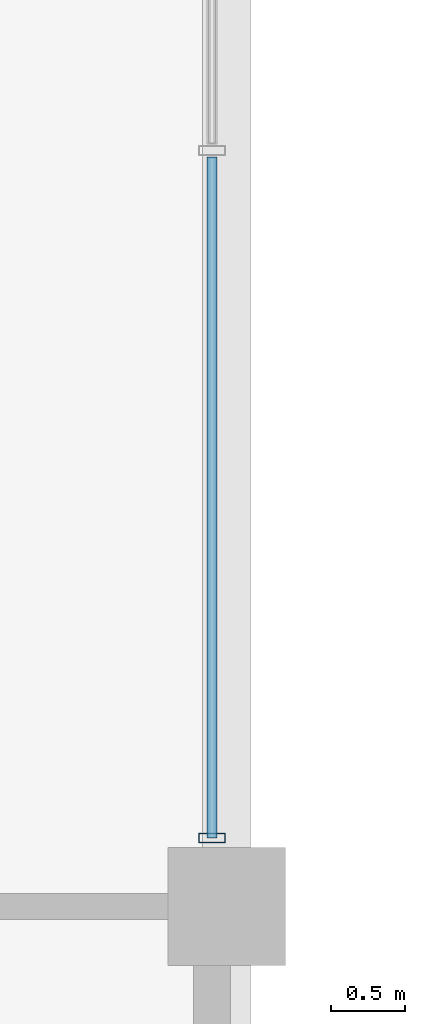
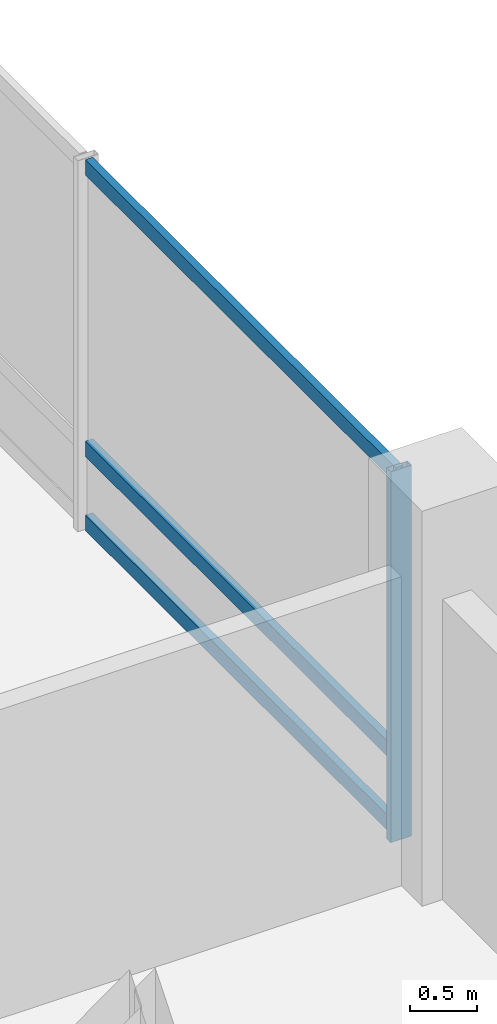
# One storey, part 8 of 24: 4 members, 1 element without a shape of its own.
"""IFC4 building model written with IfcOpenShell, lengths in metres."""

import ifcopenshell
import ifcopenshell.guid

model = None  # the IFC model being written
_history = None  # IfcOwnerHistory: only IFC2X3 demands one
_inside = {}  # id of a spatial element -> (the spatial element, [elements in it])
_under = {}  # id of a project, library or spatial element -> (it, [spatial elements below it])
_declared = {}  # id of a project -> (the project, [libraries it declares])
_typed = {}  # id of a type object -> (the type object, [elements of that type])
_made_of = {}  # id of a material, layer set ... -> (it, [elements and type objects made of it])


def new_model(schema):
    """Start an empty IFC model of exactly this schema.

    Asked for "IFC4X3", IfcOpenShell would pick the latest addendum, in which some entities
    have other attributes; the version numbers below select the first issue.
    IFC2X3 requires an IfcOwnerHistory on every rooted entity: one is made here for all.
    """
    global model, _history
    if schema == "IFC4X3":
        model = ifcopenshell.file(schema_version=(4, 3, 0, 0))
    else:
        model = ifcopenshell.file(schema=schema)
    _inside.clear()
    _under.clear()
    _declared.clear()
    _typed.clear()
    _made_of.clear()
    _history = None
    if model.schema == "IFC2X3":
        org = make("IfcOrganization", Name="unknown")
        user = make(
            "IfcPersonAndOrganization",
            ThePerson=make("IfcPerson", FamilyName="unknown"),
            TheOrganization=org,
        )
        app = make(
            "IfcApplication",
            ApplicationDeveloper=org,
            Version="unknown",
            ApplicationFullName="unknown",
            ApplicationIdentifier="unknown",
        )
        _history = make(
            "IfcOwnerHistory",
            OwningUser=user,
            OwningApplication=app,
            ChangeAction="ADDED",
            CreationDate=0,
        )
    return model


def make(cls, **values):
    """One entity of the class cls with the attributes given. An attribute that is None is left unset."""
    return model.create_entity(
        cls, **{name: value for name, value in values.items() if value is not None}
    )


def rooted(cls, **values):
    """An entity with a GlobalId (a new one), such as an element, a storey or a relation."""
    return make(cls, GlobalId=ifcopenshell.guid.new(), OwnerHistory=_history, **values)


def si_unit(unit_type, name, prefix=None):
    """IfcSIUnit, for example si_unit("LENGTHUNIT", "METRE", prefix="MILLI")."""
    return make("IfcSIUnit", UnitType=unit_type, Prefix=prefix, Name=name)


def assignment(units):
    """IfcUnitAssignment: the units of a project."""
    return None if units is None else make("IfcUnitAssignment", Units=units)


def point(xyz):
    """IfcCartesianPoint."""
    return None if xyz is None else make("IfcCartesianPoint", Coordinates=xyz)


def direction(xyz):
    """IfcDirection."""
    return None if xyz is None else make("IfcDirection", DirectionRatios=xyz)


def frame(location, z_axis=None, x_axis=None):
    """IfcAxis2Placement3D, a coordinate frame: its origin and axes. An axis left out is left unset."""
    return make(
        "IfcAxis2Placement3D",
        Location=point(location),
        Axis=direction(z_axis),
        RefDirection=direction(x_axis),
    )


def frame_2d(location, x_axis=None):
    """IfcAxis2Placement2D, a coordinate frame in the plane: its origin and x axis."""
    return make(
        "IfcAxis2Placement2D", Location=point(location), RefDirection=direction(x_axis)
    )


def origin():
    """The frame at (0, 0, 0) with its axes left unset."""
    return frame((0.0, 0.0, 0.0))


def origin_2d():
    """The frame at (0, 0) in the plane with its x axis left unset."""
    return frame_2d((0.0, 0.0))


def place(relative_to, where):
    """IfcLocalPlacement: puts the frame where relative to a parent placement (None: the world)."""
    return make(
        "IfcLocalPlacement", PlacementRelTo=relative_to, RelativePlacement=where
    )


def context(
    kind, dimensions, precision=None, world=None, true_north=None, identifier=None
):
    """IfcGeometricRepresentationContext, for example the 3D "Model" context."""
    return make(
        "IfcGeometricRepresentationContext",
        ContextIdentifier=identifier,
        ContextType=kind,
        CoordinateSpaceDimension=dimensions,
        Precision=precision,
        WorldCoordinateSystem=world,
        TrueNorth=true_north,
    )


def subcontext(parent, identifier, kind, view, scale=None):
    """IfcGeometricRepresentationSubContext, for example "Body" below "Model"."""
    return make(
        "IfcGeometricRepresentationSubContext",
        ContextIdentifier=identifier,
        ContextType=kind,
        ParentContext=parent,
        TargetScale=scale,
        TargetView=view,
    )


def project(units=None, contexts=None):
    """IfcProject with its units and contexts."""
    return rooted(
        "IfcProject",
        Name="project",
        RepresentationContexts=contexts,
        UnitsInContext=assignment(units),
    )


def spatial(cls, under=None, at=None, **own):
    """A site, building, storey or space (cls), placed at a placement, below another one or the project."""
    s = rooted(cls, ObjectPlacement=at, **own)
    if under is not None:
        _under.setdefault(under.id(), (under, []))[1].append(s)
    return s


def profile(cls, at=None, kind="AREA", **sizes):
    """A parametric profile (cls). Its sizes go by their IFC names, for example OverallWidth=200.0."""
    return make(cls, ProfileType=kind, Position=at, **sizes)


def hollow_rectangle(**sizes):
    """IfcRectangleHollowProfileDef."""
    return profile("IfcRectangleHollowProfileDef", **sizes)


def extrude(swept, where, along, depth):
    """IfcExtrudedAreaSolid: the profile swept, set in the frame where, extruded along a direction by depth."""
    return make(
        "IfcExtrudedAreaSolid",
        SweptArea=swept,
        Position=where,
        ExtrudedDirection=direction(along),
        Depth=depth,
    )


def shape(context_of_items, identifier, shape_type, items):
    """IfcShapeRepresentation: the items that make up one representation, for example the "Body"."""
    return make(
        "IfcShapeRepresentation",
        ContextOfItems=context_of_items,
        RepresentationIdentifier=identifier,
        RepresentationType=shape_type,
        Items=items,
    )


def material(Name=None, Category=None):
    """IfcMaterial."""
    return make("IfcMaterial", Name=Name, Category=Category)


def layer(
    of_material, thickness, ventilated=None, Name=None, Category=None, Priority=None
):
    """IfcMaterialLayer: one layer of a wall or slab, of a material (None: an air gap)."""
    return make(
        "IfcMaterialLayer",
        Material=of_material,
        LayerThickness=thickness,
        IsVentilated=ventilated,
        Name=Name,
        Category=Category,
        Priority=Priority,
    )


def layer_set(layers, Name=None):
    """IfcMaterialLayerSet."""
    return make("IfcMaterialLayerSet", MaterialLayers=layers, LayerSetName=Name)


def material_profile(
    of_material, cross_section, Name=None, Category=None, Priority=None
):
    """IfcMaterialProfile: a cross section and its material."""
    return make(
        "IfcMaterialProfile",
        Name=Name,
        Material=of_material,
        Profile=cross_section,
        Priority=Priority,
        Category=Category,
    )


def profile_set(profiles, Name=None, composite=None):
    """IfcMaterialProfileSet."""
    return make(
        "IfcMaterialProfileSet",
        Name=Name,
        MaterialProfiles=profiles,
        CompositeProfile=composite,
    )


def made_of(thing, what):
    """Note that an element or type object is made of a material, layer set ...; save() writes the relation."""
    if what is not None:
        _made_of.setdefault(what.id(), (what, []))[1].append(thing)
    return thing


def type_object(cls, material=None, **own):
    """A type object (cls), such as IfcWallType, which elements share."""
    return made_of(rooted(cls, **own), material)


def element(
    cls,
    number,
    at=None,
    inside=None,
    cuts=None,
    type_object=None,
    material=None,
    context=None,
    identifier="Body",
    shape_type=None,
    held_by="IfcProductDefinitionShape",
    body=None,
    shapes=None,
    **own,
):
    """One element of the class cls, such as IfcWall. Its Tag is "e" and its number.

    at: its placement. inside: the storey or other place that contains it. cuts: it is an
    opening in that element (IfcRelVoidsElement). A single representation is given by context,
    identifier, shape_type and body (its items); several are given by shapes. held_by: the class
    of the entity that holds the representations. save() writes the other relations.
    """
    e = rooted(cls, Tag="e%d" % number, ObjectPlacement=at, **own)
    if body is not None:
        shapes = [shape(context, identifier, shape_type, body)]
    if shapes is not None:
        e.Representation = make(held_by, Representations=shapes)
    if inside is not None:
        _inside.setdefault(inside.id(), (inside, []))[1].append(e)
    if cuts is not None:
        rooted(
            "IfcRelVoidsElement", RelatingBuildingElement=cuts, RelatedOpeningElement=e
        )
    if type_object is not None:
        _typed.setdefault(type_object.id(), (type_object, []))[1].append(e)
    return made_of(e, material)


def aggregate(whole, parts):
    """IfcRelAggregates: a whole, such as a stair, and the parts it consists of."""
    return rooted("IfcRelAggregates", RelatingObject=whole, RelatedObjects=parts)


def save(model, path):
    """Write the relations noted so far, then the file.

    IfcRelAggregates (storeys below a building ...), IfcRelContainedInSpatialStructure (elements
    in a storey), IfcRelDefinesByType, IfcRelAssociatesMaterial and IfcRelDeclares: one each for
    every whole, place, type object, material and project.
    """
    for whole, parts in _under.values():
        aggregate(whole, parts)
    for where, things in _inside.values():
        rooted(
            "IfcRelContainedInSpatialStructure",
            RelatedElements=things,
            RelatingStructure=where,
        )
    for kind, things in _typed.values():
        rooted("IfcRelDefinesByType", RelatedObjects=things, RelatingType=kind)
    for what, things in _made_of.values():
        rooted("IfcRelAssociatesMaterial", RelatedObjects=things, RelatingMaterial=what)
    for by, libraries in _declared.values():
        rooted("IfcRelDeclares", RelatingContext=by, RelatedDefinitions=libraries)
    model.write(path)


model = new_model("IFC4")

# Units and contexts
model_context = context("Model", 3, precision=1e-05, world=origin(), true_north=direction((0.0, 1.0)))
body_context = subcontext(model_context, "Body", "Model", "MODEL_VIEW")
ifc_project = project(units=[si_unit("LENGTHUNIT", "METRE"), si_unit("AREAUNIT", "SQUARE_METRE"), si_unit("VOLUMEUNIT", "CUBIC_METRE"), si_unit("PLANEANGLEUNIT", "RADIAN"), si_unit("MASSUNIT", "GRAM", prefix="KILO")], contexts=[model_context])

# Site, building, storey
site_placement = place(None, origin())
site = spatial("IfcSite", under=ifc_project, at=site_placement, CompositionType="ELEMENT")
building_placement = place(site_placement, origin())
building = spatial("IfcBuilding", under=site, at=building_placement, Name="Barlavira Tower and Art Museum", CompositionType="ELEMENT")
storey_placement = place(building_placement, frame((0.0, 0.0, 43.199951171875)))
storey = spatial("IfcBuildingStorey", under=building, at=storey_placement, Name="L09", CompositionType="ELEMENT", Elevation=43.199951171875)

# Curtain wall, members
ifc_material_1 = material(Name="Low-iron coastal laminated glass", Category="glass")
ifc_layer = layer(ifc_material_1, 0.179931640625, Name="Low-iron coastal laminated glass")
ifc_layer_set = layer_set([ifc_layer], Name="Low-iron coastal laminated glass")
curtain_wall_type = type_object("IfcCurtainWallType", Name="Pale-Metal Unitised Curtain Wall Zone 1", PredefinedType="NOTDEFINED", material=ifc_layer_set)
curtain_wall_placement = place(storey_placement, origin())
curtain_wall = element("IfcCurtainWall", 1, at=curtain_wall_placement, inside=storey, type_object=curtain_wall_type, Name="L09 Curtain Wall CW1-L09-E-B3", PredefinedType="NOTDEFINED")
ifc_material_2 = material(Name="Pale anodised aluminium", Category="aluminium")
ifc_material_profile_1 = material_profile(ifc_material_2, hollow_rectangle(XDim=0.06494140625, YDim=0.179931640625, WallThickness=0.00390625, at=origin_2d()), Name="ALU-MULL 65x180x4")
ifc_profile_set_1 = profile_set([ifc_material_profile_1], Name="Pale anodised aluminium")
member_type_1 = type_object("IfcMemberType", Name="Curtain Wall Pale-Metal Mullion 65x180", PredefinedType="MULLION", material=ifc_profile_set_1)
member_1_placement = place(storey_placement, frame((21.89990234375, -7.034912109375, 0.0), z_axis=(0.0, 0.0, 1.0), x_axis=(0.0, 1.0, 0.0)))
member_1 = element("IfcMember", 2, at=member_1_placement, type_object=member_type_1, Name="CW1-L09-E-B3 Mullion 0", PredefinedType="MULLION", context=body_context, shape_type="SweptSolid", body=[
    extrude(hollow_rectangle(XDim=0.06494140625, YDim=0.179931640625, WallThickness=0.00390625, at=origin_2d()), origin(), (0.0, 0.0, 1.0), 3.380126953125),
])
ifc_material_profile_2 = material_profile(ifc_material_2, hollow_rectangle(XDim=0.06494140625, YDim=0.139892578125, WallThickness=0.00390625, at=origin_2d()), Name="ALU-TRAN 65x140x4")
ifc_profile_set_2 = profile_set([ifc_material_profile_2], Name="Pale anodised aluminium")
member_type_2 = type_object("IfcMemberType", Name="Curtain Wall Pale-Metal Transom 65x140", PredefinedType="USERDEFINED", material=ifc_profile_set_2)
member_2_placement = place(storey_placement, frame((21.89990234375, -7.034912109375, 0.070068359375), z_axis=(0.0, 1.0, 0.0), x_axis=(-1.0, 0.0, 0.0)))
member_2 = element("IfcMember", 3, at=member_2_placement, type_object=member_type_2, Name="CW1-L09-E-B3 Transom 0.1", ObjectType="TRANSOM", PredefinedType="USERDEFINED", context=body_context, shape_type="SweptSolid", body=[
    extrude(hollow_rectangle(XDim=0.06494140625, YDim=0.139892578125, WallThickness=0.00390625, at=origin_2d()), origin(), (0.0, 0.0, 1.0), 4.6298828125),
])
member_3_placement = place(storey_placement, frame((21.89990234375, -7.034912109375, 0.744140625), z_axis=(0.0, 1.0, 0.0), x_axis=(-1.0, 0.0, 0.0)))
member_3 = element("IfcMember", 4, at=member_3_placement, type_object=member_type_2, Name="CW1-L09-E-B3 Transom 0.2", ObjectType="TRANSOM", PredefinedType="USERDEFINED", context=body_context, shape_type="SweptSolid", body=[
    extrude(hollow_rectangle(XDim=0.06494140625, YDim=0.139892578125, WallThickness=0.00390625, at=origin_2d()), origin(), (0.0, 0.0, 1.0), 4.6298828125),
])
member_4_placement = place(storey_placement, frame((21.89990234375, -7.034912109375, 3.31005859375), z_axis=(0.0, 1.0, 0.0), x_axis=(-1.0, 0.0, 0.0)))
member_4 = element("IfcMember", 5, at=member_4_placement, type_object=member_type_2, Name="CW1-L09-E-B3 Transom 0.3", ObjectType="TRANSOM", PredefinedType="USERDEFINED", context=body_context, shape_type="SweptSolid", body=[
    extrude(hollow_rectangle(XDim=0.06494140625, YDim=0.139892578125, WallThickness=0.00390625, at=origin_2d()), origin(), (0.0, 0.0, 1.0), 4.6298828125),
])
aggregate(curtain_wall, [member_1, member_2, member_3, member_4])

save(model, "model.ifc")
